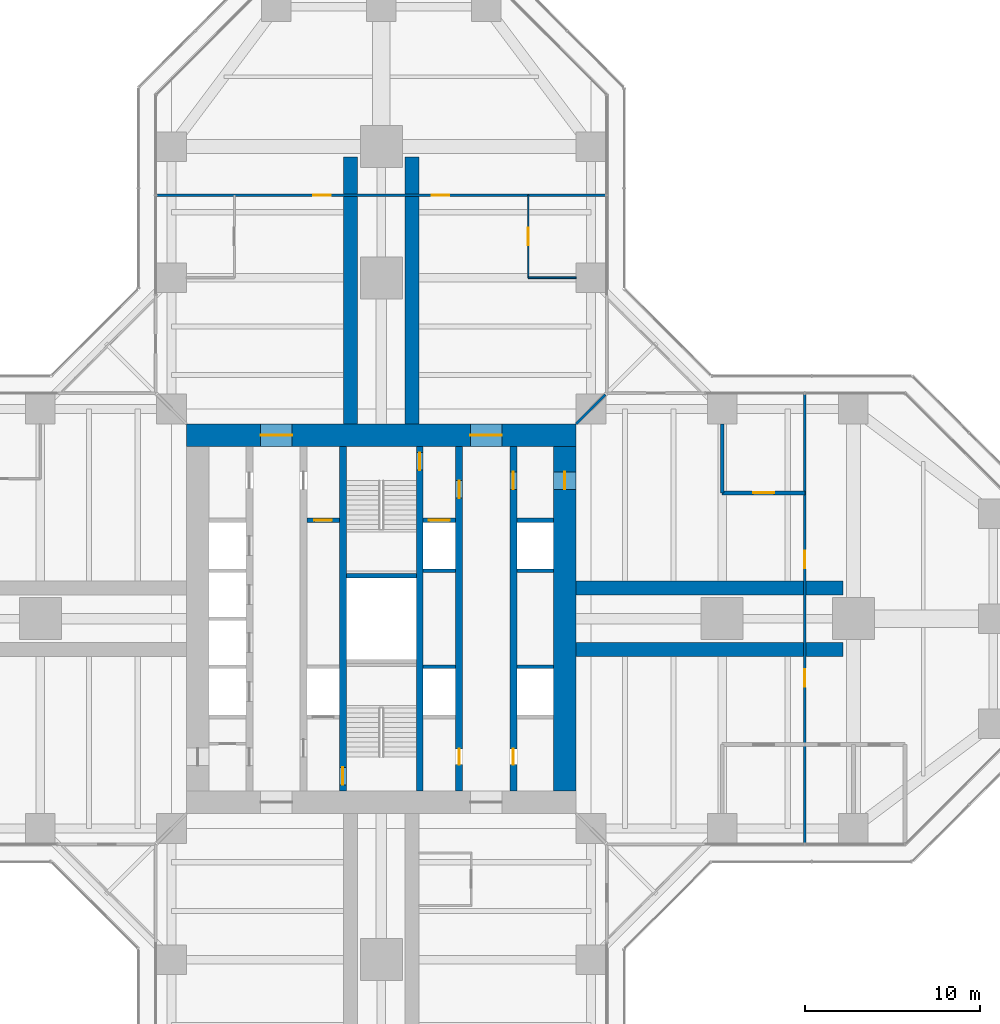
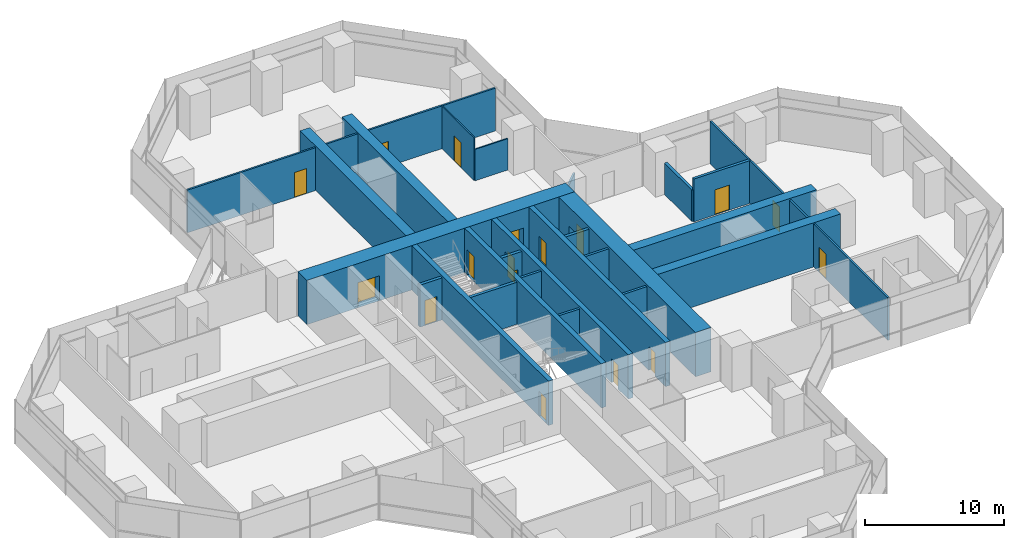
# One storey, part 19 of 22: 25 walls, 17 doors, 17 openings.
"""IFC4 building model written with IfcOpenShell, lengths in metres."""

from ifc_helpers import new_model, si_unit, direction, frame, frame_2d, origin, place, context, subcontext, project, spatial, rectangle, extrude, material, layer, layer_set, type_object, element, fill, save


model = new_model("IFC4")

# Units and contexts
model_context = context("Model", 3, precision=1e-05, world=origin(), true_north=direction((0.0, 1.0)))
body_context = subcontext(model_context, "Body", "Model", "MODEL_VIEW")
ifc_project = project(units=[si_unit("LENGTHUNIT", "METRE"), si_unit("AREAUNIT", "SQUARE_METRE"), si_unit("VOLUMEUNIT", "CUBIC_METRE"), si_unit("PLANEANGLEUNIT", "RADIAN"), si_unit("MASSUNIT", "GRAM", prefix="KILO")], contexts=[model_context])

# Site, building, storey
site_placement = place(None, origin())
site = spatial("IfcSite", under=ifc_project, at=site_placement, CompositionType="ELEMENT")
building_placement = place(site_placement, origin())
building = spatial("IfcBuilding", under=site, at=building_placement, Name="Mizan Broadcast Tower", CompositionType="ELEMENT")
storey_placement = place(building_placement, frame((0.0, 0.0, 78.60009765625)))
storey = spatial("IfcBuildingStorey", under=building, at=storey_placement, Name="L16", CompositionType="ELEMENT", Elevation=78.60009765625)

# Wall, openings, doors
ifc_material_1 = material(Name="Concrete C70/85", Category="concrete")
ifc_layer_1 = layer(ifc_material_1, 0.39990234375)
ifc_layer_set_1 = layer_set([ifc_layer_1], Name="Concrete C70/85")
wall_type_1 = type_object("IfcWallType", Name="CORE INTERNAL WALL 400", PredefinedType="SHEAR", material=ifc_layer_set_1)
wall_1_placement = place(storey_placement, frame((7.550048828125, 9.85009765625, 0.0), z_axis=(0.0, 0.0, 1.0), x_axis=(0.0, -1.0, 0.0)))
wall_1 = element("IfcWall", 1, at=wall_1_placement, inside=storey, type_object=wall_type_1, Name="Core wall CORE/XW1E", PredefinedType="SHEAR", context=body_context, shape_type="SweptSolid", body=[
    extrude(rectangle(XDim=19.7001953125, YDim=0.39990234375, at=frame_2d((9.85009765625, 0.0))), origin(), (0.0, 0.0, 1.0), 3.89990234375),
])
opening_1_placement = place(wall_1_placement, frame((1.449951171875, 0.0, 0.0)))
opening_1 = element("IfcOpeningElement", 2, at=opening_1_placement, cuts=wall_1, Name="Opening D10F", PredefinedType="OPENING", context=body_context, shape_type="SweptSolid", body=[
    extrude(rectangle(XDim=1.0, YDim=2.199951171875, at=frame_2d((0.5, 1.10009765625))), frame((0.0, 0.2099609375, 0.0), z_axis=(0.0, -1.0, 0.0), x_axis=(1.0, 0.0, 0.0)), (0.0, 0.0, 1.0), 0.419921875),
])
opening_2_placement = place(wall_1_placement, frame((17.300048828125, 0.0, 0.0)))
opening_2 = element("IfcOpeningElement", 3, at=opening_2_placement, cuts=wall_1, Name="Opening D09", PredefinedType="OPENING", context=body_context, shape_type="SweptSolid", body=[
    extrude(rectangle(XDim=0.89990234375, YDim=2.10009765625, at=frame_2d((0.449951171875, 1.050048828125))), frame((0.0, 0.2099609375, 0.0), z_axis=(0.0, -1.0, 0.0), x_axis=(1.0, 0.0, 0.0)), (0.0, 0.0, 1.0), 0.419921875),
])
ifc_material_2 = material(Name="Steel door leaf in steel frame", Category="steel")
door_type_1 = type_object("IfcDoorType", Name="FIRE DOOR 1000 FD90", OperationType="SINGLE_SWING_LEFT", PredefinedType="DOOR", material=ifc_material_2)
door_1_placement = place(opening_1_placement, origin())
door_1 = element("IfcDoor", 4, at=door_1_placement, inside=storey, type_object=door_type_1, Name="East core passage door", OperationType="SINGLE_SWING_LEFT", OverallHeight=2.199951171875, OverallWidth=1.0, PredefinedType="DOOR", context=body_context, shape_type="SweptSolid", body=[
    extrude(rectangle(XDim=1.0, YDim=2.199951171875, at=frame_2d((0.5, 1.10009765625))), frame((0.0, 0.02490234375, 0.0), z_axis=(0.0, -1.0, 0.0), x_axis=(1.0, 0.0, 0.0)), (0.0, 0.0, 1.0), 0.050048828125),
])
fill(opening_1, door_1)
ifc_material_3 = material(Name="Timber door leaf in aluminium frame", Category="wood")
door_type_2 = type_object("IfcDoorType", Name="TOILET DOOR 900", OperationType="SINGLE_SWING_LEFT", PredefinedType="DOOR", material=ifc_material_3)
door_2_placement = place(opening_2_placement, origin())
door_2 = element("IfcDoor", 5, at=door_2_placement, inside=storey, type_object=door_type_2, Name="Female WC door", OperationType="SINGLE_SWING_RIGHT", OverallHeight=2.10009765625, OverallWidth=0.89990234375, PredefinedType="DOOR", context=body_context, shape_type="SweptSolid", body=[
    extrude(rectangle(XDim=0.89990234375, YDim=2.10009765625, at=frame_2d((0.449951171875, 1.050048828125))), frame((0.0, 0.02490234375, 0.0), z_axis=(0.0, -1.0, 0.0), x_axis=(1.0, 0.0, 0.0)), (0.0, 0.0, 1.0), 0.050048828125),
])
fill(opening_2, door_2)

wall_2_placement = place(storey_placement, frame((4.449951171875, 9.85009765625, 0.0), z_axis=(0.0, 0.0, 1.0), x_axis=(0.0, -1.0, 0.0)))
wall_2 = element("IfcWall", 6, at=wall_2_placement, inside=storey, type_object=wall_type_1, Name="Core wall CORE/XWHE", PredefinedType="SHEAR", context=body_context, shape_type="SweptSolid", body=[
    extrude(rectangle(XDim=19.7001953125, YDim=0.39990234375, at=frame_2d((9.85009765625, 0.0))), origin(), (0.0, 0.0, 1.0), 3.89990234375),
])
opening_3_placement = place(wall_2_placement, frame((1.949951171875, 0.0, 0.0)))
opening_3 = element("IfcOpeningElement", 7, at=opening_3_placement, cuts=wall_2, Name="Opening D10F", PredefinedType="OPENING", context=body_context, shape_type="SweptSolid", body=[
    extrude(rectangle(XDim=1.0, YDim=2.199951171875, at=frame_2d((0.5, 1.10009765625))), frame((0.0, 0.2099609375, 0.0), z_axis=(0.0, -1.0, 0.0), x_axis=(1.0, 0.0, 0.0)), (0.0, 0.0, 1.0), 0.419921875),
])
opening_4_placement = place(wall_2_placement, frame((17.300048828125, 0.0, 0.0)))
opening_4 = element("IfcOpeningElement", 8, at=opening_4_placement, cuts=wall_2, Name="Opening D09", PredefinedType="OPENING", context=body_context, shape_type="SweptSolid", body=[
    extrude(rectangle(XDim=0.89990234375, YDim=2.10009765625, at=frame_2d((0.449951171875, 1.050048828125))), frame((0.0, 0.2099609375, 0.0), z_axis=(0.0, -1.0, 0.0), x_axis=(1.0, 0.0, 0.0)), (0.0, 0.0, 1.0), 0.419921875),
])
door_3_placement = place(opening_3_placement, origin())
door_3 = element("IfcDoor", 9, at=door_3_placement, inside=storey, type_object=door_type_1, Name="Firefighting lobby B door", OperationType="SINGLE_SWING_LEFT", OverallHeight=2.199951171875, OverallWidth=1.0, PredefinedType="DOOR", context=body_context, shape_type="SweptSolid", body=[
    extrude(rectangle(XDim=1.0, YDim=2.199951171875, at=frame_2d((0.5, 1.10009765625))), frame((0.0, 0.02490234375, 0.0), z_axis=(0.0, -1.0, 0.0), x_axis=(1.0, 0.0, 0.0)), (0.0, 0.0, 1.0), 0.050048828125),
])
fill(opening_3, door_3)
door_4_placement = place(opening_4_placement, origin())
door_4 = element("IfcDoor", 10, at=door_4_placement, inside=storey, type_object=door_type_2, Name="Cleaner's store door", OperationType="SINGLE_SWING_RIGHT", OverallHeight=2.10009765625, OverallWidth=0.89990234375, PredefinedType="DOOR", context=body_context, shape_type="SweptSolid", body=[
    extrude(rectangle(XDim=0.89990234375, YDim=2.10009765625, at=frame_2d((0.449951171875, 1.050048828125))), frame((0.0, 0.02490234375, 0.0), z_axis=(0.0, -1.0, 0.0), x_axis=(1.0, 0.0, 0.0)), (0.0, 0.0, 1.0), 0.050048828125),
])
fill(opening_4, door_4)

# Wall, opening, door
wall_3_placement = place(storey_placement, frame((-2.199951171875, -9.85009765625, 0.0), z_axis=(0.0, 0.0, 1.0), x_axis=(0.0, 1.0, 0.0)))
wall_3 = element("IfcWall", 11, at=wall_3_placement, inside=storey, type_object=wall_type_1, Name="Core wall CORE/XW2", PredefinedType="SHEAR", context=body_context, shape_type="SweptSolid", body=[
    extrude(rectangle(XDim=19.7001953125, YDim=0.39990234375, at=frame_2d((9.85009765625, 0.0))), origin(), (0.0, 0.0, 1.0), 3.89990234375),
])
opening_5_placement = place(wall_3_placement, frame((0.35009765625, 0.0, 0.0)))
opening_5 = element("IfcOpeningElement", 12, at=opening_5_placement, cuts=wall_3, Name="Opening D10S", PredefinedType="OPENING", context=body_context, shape_type="SweptSolid", body=[
    extrude(rectangle(XDim=1.0, YDim=2.199951171875, at=frame_2d((0.5, 1.10009765625))), frame((0.0, 0.2099609375, 0.0), z_axis=(0.0, -1.0, 0.0), x_axis=(1.0, 0.0, 0.0)), (0.0, 0.0, 1.0), 0.419921875),
])
ifc_material_4 = material(Name="Steel door leaf in steel frame", Category="steel")
door_type_3 = type_object("IfcDoorType", Name="STAIR DOOR 1000 FD90S", OperationType="SINGLE_SWING_RIGHT", PredefinedType="DOOR", material=ifc_material_4)
door_5_placement = place(opening_5_placement, origin())
door_5 = element("IfcDoor", 13, at=door_5_placement, inside=storey, type_object=door_type_3, Name="Stair A door", OperationType="SINGLE_SWING_RIGHT", OverallHeight=2.199951171875, OverallWidth=1.0, PredefinedType="DOOR", context=body_context, shape_type="SweptSolid", body=[
    extrude(rectangle(XDim=1.0, YDim=2.199951171875, at=frame_2d((0.5, 1.10009765625))), frame((0.0, 0.02490234375, 0.0), z_axis=(0.0, -1.0, 0.0), x_axis=(1.0, 0.0, 0.0)), (0.0, 0.0, 1.0), 0.050048828125),
])
fill(opening_5, door_5)

wall_4_placement = place(storey_placement, frame((2.199951171875, 9.85009765625, 0.0), z_axis=(0.0, 0.0, 1.0), x_axis=(0.0, -1.0, 0.0)))
wall_4 = element("IfcWall", 14, at=wall_4_placement, inside=storey, type_object=wall_type_1, Name="Core wall CORE/XW2E", PredefinedType="SHEAR", context=body_context, shape_type="SweptSolid", body=[
    extrude(rectangle(XDim=19.7001953125, YDim=0.39990234375, at=frame_2d((9.85009765625, 0.0))), origin(), (0.0, 0.0, 1.0), 3.89990234375),
])
opening_6_placement = place(wall_4_placement, frame((0.35009765625, 0.0, 0.0)))
opening_6 = element("IfcOpeningElement", 15, at=opening_6_placement, cuts=wall_4, Name="Opening D10S", PredefinedType="OPENING", context=body_context, shape_type="SweptSolid", body=[
    extrude(rectangle(XDim=1.0, YDim=2.199951171875, at=frame_2d((0.5, 1.10009765625))), frame((0.0, 0.2099609375, 0.0), z_axis=(0.0, -1.0, 0.0), x_axis=(1.0, 0.0, 0.0)), (0.0, 0.0, 1.0), 0.419921875),
])
door_6_placement = place(opening_6_placement, origin())
door_6 = element("IfcDoor", 16, at=door_6_placement, inside=storey, type_object=door_type_3, Name="Stair B door", OperationType="SINGLE_SWING_RIGHT", OverallHeight=2.199951171875, OverallWidth=1.0, PredefinedType="DOOR", context=body_context, shape_type="SweptSolid", body=[
    extrude(rectangle(XDim=1.0, YDim=2.199951171875, at=frame_2d((0.5, 1.10009765625))), frame((0.0, 0.02490234375, 0.0), z_axis=(0.0, -1.0, 0.0), x_axis=(1.0, 0.0, 0.0)), (0.0, 0.0, 1.0), 0.050048828125),
])
fill(opening_6, door_6)

# Wall, openings, doors
ifc_material_5 = material(Name="Concrete C70/85", Category="concrete")
ifc_layer_2 = layer(ifc_material_5, 1.300048828125)
ifc_layer_set_2 = layer_set([ifc_layer_2], Name="Concrete C70/85")
wall_type_2 = type_object("IfcWallType", Name="CORE WALL 1300", PredefinedType="SHEAR", material=ifc_layer_set_2)
wall_5_placement = place(storey_placement, frame((-11.14990234375, 10.5, 0.0), z_axis=(0.0, 0.0, 1.0), x_axis=(1.0, 0.0, 0.0)))
wall_5 = element("IfcWall", 17, at=wall_5_placement, inside=storey, type_object=wall_type_2, Name="Core wall N L16", PredefinedType="SHEAR", context=body_context, shape_type="SweptSolid", body=[
    extrude(rectangle(XDim=22.2998046875, YDim=1.300048828125, at=frame_2d((11.14990234375, 0.0))), origin(), (0.0, 0.0, 1.0), 3.89990234375),
])
opening_7_placement = place(wall_5_placement, frame((4.25, 0.0, 0.0)))
opening_7 = element("IfcOpeningElement", 18, at=opening_7_placement, cuts=wall_5, Name="Opening D18F", PredefinedType="OPENING", context=body_context, shape_type="SweptSolid", body=[
    extrude(rectangle(XDim=1.800048828125, YDim=2.199951171875, at=frame_2d((0.89990234375, 1.10009765625))), frame((0.0, 0.659912109375, 0.0), z_axis=(0.0, -1.0, 0.0), x_axis=(1.0, 0.0, 0.0)), (0.0, 0.0, 1.0), 1.320068359375),
])
opening_8_placement = place(wall_5_placement, frame((16.25, 0.0, 0.0)))
opening_8 = element("IfcOpeningElement", 19, at=opening_8_placement, cuts=wall_5, Name="Opening D18F", PredefinedType="OPENING", context=body_context, shape_type="SweptSolid", body=[
    extrude(rectangle(XDim=1.800048828125, YDim=2.199951171875, at=frame_2d((0.89990234375, 1.10009765625))), frame((0.0, 0.659912109375, 0.0), z_axis=(0.0, -1.0, 0.0), x_axis=(1.0, 0.0, 0.0)), (0.0, 0.0, 1.0), 1.320068359375),
])
ifc_material_6 = material(Name="Steel door leaf in steel frame", Category="steel")
door_type_4 = type_object("IfcDoorType", Name="LOBBY DOUBLE DOOR 1800 FD90", OperationType="DOUBLE_DOOR_DOUBLE_SWING", PredefinedType="DOOR", material=ifc_material_6)
door_7_placement = place(opening_7_placement, origin())
door_7 = element("IfcDoor", 20, at=door_7_placement, inside=storey, type_object=door_type_4, Name="West lift lobby north door", OperationType="DOUBLE_DOOR_DOUBLE_SWING", OverallHeight=2.199951171875, OverallWidth=1.800048828125, PredefinedType="DOOR", context=body_context, shape_type="SweptSolid", body=[
    extrude(rectangle(XDim=1.800048828125, YDim=2.199951171875, at=frame_2d((0.89990234375, 1.10009765625))), frame((0.0, 0.02490234375, 0.0), z_axis=(0.0, -1.0, 0.0), x_axis=(1.0, 0.0, 0.0)), (0.0, 0.0, 1.0), 0.050048828125),
])
fill(opening_7, door_7)
door_8_placement = place(opening_8_placement, origin())
door_8 = element("IfcDoor", 21, at=door_8_placement, inside=storey, type_object=door_type_4, Name="East lift lobby north door", OperationType="DOUBLE_DOOR_DOUBLE_SWING", OverallHeight=2.199951171875, OverallWidth=1.800048828125, PredefinedType="DOOR", context=body_context, shape_type="SweptSolid", body=[
    extrude(rectangle(XDim=1.800048828125, YDim=2.199951171875, at=frame_2d((0.89990234375, 1.10009765625))), frame((0.0, 0.02490234375, 0.0), z_axis=(0.0, -1.0, 0.0), x_axis=(1.0, 0.0, 0.0)), (0.0, 0.0, 1.0), 0.050048828125),
])
fill(opening_8, door_8)

# Wall, opening, door
wall_6_placement = place(storey_placement, frame((10.5, -9.85009765625, 0.0), z_axis=(0.0, 0.0, 1.0), x_axis=(0.0, 1.0, 0.0)))
wall_6 = element("IfcWall", 22, at=wall_6_placement, inside=storey, type_object=wall_type_2, Name="Core wall E L16", PredefinedType="SHEAR", context=body_context, shape_type="SweptSolid", body=[
    extrude(rectangle(XDim=19.7001953125, YDim=1.300048828125, at=frame_2d((9.85009765625, 0.0))), origin(), (0.0, 0.0, 1.0), 3.89990234375),
])
opening_9_placement = place(wall_6_placement, frame((17.25, 0.0, 0.0)))
opening_9 = element("IfcOpeningElement", 23, at=opening_9_placement, cuts=wall_6, Name="Opening D10F", PredefinedType="OPENING", context=body_context, shape_type="SweptSolid", body=[
    extrude(rectangle(XDim=1.0, YDim=2.199951171875, at=frame_2d((0.5, 1.10009765625))), frame((0.0, 0.659912109375, 0.0), z_axis=(0.0, -1.0, 0.0), x_axis=(1.0, 0.0, 0.0)), (0.0, 0.0, 1.0), 1.320068359375),
])
door_9_placement = place(opening_9_placement, origin())
door_9 = element("IfcDoor", 24, at=door_9_placement, inside=storey, type_object=door_type_1, Name="East core passage arm door", OperationType="SINGLE_SWING_RIGHT", OverallHeight=2.199951171875, OverallWidth=1.0, PredefinedType="DOOR", context=body_context, shape_type="SweptSolid", body=[
    extrude(rectangle(XDim=1.0, YDim=2.199951171875, at=frame_2d((0.5, 1.10009765625))), frame((0.0, 0.02490234375, 0.0), z_axis=(0.0, -1.0, 0.0), x_axis=(1.0, 0.0, 0.0)), (0.0, 0.0, 1.0), 0.050048828125),
])
fill(opening_9, door_9)

# Walls
ifc_material_7 = material(Name="Concrete blockwork", Category="masonry")
ifc_layer_3 = layer(ifc_material_7, 0.199951171875)
ifc_layer_set_3 = layer_set([ifc_layer_3], Name="Concrete blockwork")
wall_type_3 = type_object("IfcWallType", Name="LIFT SHAFT WALL 200", PredefinedType="SOLIDWALL", material=ifc_layer_set_3)
wall_7_placement = place(storey_placement, frame((2.39990234375, -2.75, 0.0), z_axis=(0.0, 0.0, 1.0), x_axis=(1.0, 0.0, 0.0)))
element("IfcWall", 25, at=wall_7_placement, inside=storey, type_object=wall_type_3, Name="Lift shaft wall CORE/SE2-1", PredefinedType="SOLIDWALL", context=body_context, shape_type="SweptSolid", body=[
    extrude(rectangle(XDim=1.85009765625, YDim=0.199951171875, at=frame_2d((0.925048828125, 0.0))), origin(), (0.0, 0.0, 1.0), 3.699951171875),
])
wall_8_placement = place(storey_placement, frame((7.75, -2.75, 0.0), z_axis=(0.0, 0.0, 1.0), x_axis=(1.0, 0.0, 0.0)))
element("IfcWall", 26, at=wall_8_placement, inside=storey, type_object=wall_type_3, Name="Lift shaft wall CORE/SE1-1", PredefinedType="SOLIDWALL", context=body_context, shape_type="SweptSolid", body=[
    extrude(rectangle(XDim=2.10009765625, YDim=0.199951171875, at=frame_2d((1.050048828125, 0.0))), origin(), (0.0, 0.0, 1.0), 3.699951171875),
])
wall_9_placement = place(storey_placement, frame((2.39990234375, 2.75, 0.0), z_axis=(0.0, 0.0, 1.0), x_axis=(1.0, 0.0, 0.0)))
element("IfcWall", 27, at=wall_9_placement, inside=storey, type_object=wall_type_3, Name="Lift shaft wall CORE/SE2-3", PredefinedType="SOLIDWALL", context=body_context, shape_type="SweptSolid", body=[
    extrude(rectangle(XDim=1.85009765625, YDim=0.199951171875, at=frame_2d((0.925048828125, 0.0))), origin(), (0.0, 0.0, 1.0), 3.699951171875),
])
wall_10_placement = place(storey_placement, frame((7.75, 2.75, 0.0), z_axis=(0.0, 0.0, 1.0), x_axis=(1.0, 0.0, 0.0)))
element("IfcWall", 28, at=wall_10_placement, inside=storey, type_object=wall_type_3, Name="Lift shaft wall CORE/SE1-3", PredefinedType="SOLIDWALL", context=body_context, shape_type="SweptSolid", body=[
    extrude(rectangle(XDim=2.10009765625, YDim=0.199951171875, at=frame_2d((1.050048828125, 0.0))), origin(), (0.0, 0.0, 1.0), 3.699951171875),
])

# Wall, opening, door
ifc_material_8 = material(Name="Concrete blockwork", Category="masonry")
ifc_layer_4 = layer(ifc_material_8, 0.25)
ifc_layer_set_4 = layer_set([ifc_layer_4], Name="Concrete blockwork")
wall_type_4 = type_object("IfcWallType", Name="LOBBY ENCLOSURE WALL 250", PredefinedType="SOLIDWALL", material=ifc_layer_set_4)
wall_11_placement = place(storey_placement, frame((-4.25, 5.625, 0.0), z_axis=(0.0, 0.0, 1.0), x_axis=(1.0, 0.0, 0.0)))
wall_11 = element("IfcWall", 29, at=wall_11_placement, inside=storey, type_object=wall_type_4, Name="Lobby enclosure wall CORE/BW2N", PredefinedType="SOLIDWALL", context=body_context, shape_type="SweptSolid", body=[
    extrude(rectangle(XDim=1.85009765625, YDim=0.25, at=frame_2d((0.925048828125, 0.0))), origin(), (0.0, 0.0, 1.0), 3.699951171875),
])
opening_10_placement = place(wall_11_placement, frame((0.425048828125, 0.0, 0.0)))
opening_10 = element("IfcOpeningElement", 30, at=opening_10_placement, cuts=wall_11, Name="Opening D10F", PredefinedType="OPENING", context=body_context, shape_type="SweptSolid", body=[
    extrude(rectangle(XDim=1.0, YDim=2.199951171875, at=frame_2d((0.5, 1.10009765625))), frame((0.0, 0.135009765625, 0.0), z_axis=(0.0, -1.0, 0.0), x_axis=(1.0, 0.0, 0.0)), (0.0, 0.0, 1.0), 0.27001953125),
])
door_10_placement = place(opening_10_placement, origin())
door_10 = element("IfcDoor", 31, at=door_10_placement, inside=storey, type_object=door_type_1, Name="Accessible changing room door", OperationType="SINGLE_SWING_RIGHT", OverallHeight=2.199951171875, OverallWidth=1.0, PredefinedType="DOOR", context=body_context, shape_type="SweptSolid", body=[
    extrude(rectangle(XDim=1.0, YDim=2.199951171875, at=frame_2d((0.5, 1.10009765625))), frame((0.0, 0.02490234375, 0.0), z_axis=(0.0, -1.0, 0.0), x_axis=(1.0, 0.0, 0.0)), (0.0, 0.0, 1.0), 0.050048828125),
])
fill(opening_10, door_10)

wall_12_placement = place(storey_placement, frame((2.39990234375, 5.625, 0.0), z_axis=(0.0, 0.0, 1.0), x_axis=(1.0, 0.0, 0.0)))
wall_12 = element("IfcWall", 32, at=wall_12_placement, inside=storey, type_object=wall_type_4, Name="Lobby enclosure wall CORE/BE2N", PredefinedType="SOLIDWALL", context=body_context, shape_type="SweptSolid", body=[
    extrude(rectangle(XDim=1.85009765625, YDim=0.25, at=frame_2d((0.925048828125, 0.0))), origin(), (0.0, 0.0, 1.0), 3.699951171875),
])
opening_11_placement = place(wall_12_placement, frame((0.324951171875, 0.0, 0.0)))
opening_11 = element("IfcOpeningElement", 33, at=opening_11_placement, cuts=wall_12, Name="Opening LDF", PredefinedType="OPENING", context=body_context, shape_type="SweptSolid", body=[
    extrude(rectangle(XDim=1.199951171875, YDim=2.199951171875, at=frame_2d((0.60009765625, 1.10009765625))), frame((0.0, 0.135009765625, 0.0), z_axis=(0.0, -1.0, 0.0), x_axis=(1.0, 0.0, 0.0)), (0.0, 0.0, 1.0), 0.27001953125),
])
ifc_material_9 = material(Name="Steel door leaf in steel frame", Category="steel")
door_type_5 = type_object("IfcDoorType", Name="FIREFIGHTING LIFT LANDING DOOR 1200", OperationType="SLIDING_TO_LEFT", PredefinedType="DOOR", material=ifc_material_9)
door_11_placement = place(opening_11_placement, origin())
door_11 = element("IfcDoor", 34, at=door_11_placement, inside=storey, type_object=door_type_5, Name="Landing door FF2", OperationType="SLIDING_TO_LEFT", OverallHeight=2.199951171875, OverallWidth=1.199951171875, PredefinedType="DOOR", context=body_context, shape_type="SweptSolid", body=[
    extrude(rectangle(XDim=1.199951171875, YDim=2.199951171875, at=frame_2d((0.60009765625, 1.10009765625))), frame((0.0, 0.02490234375, 0.0), z_axis=(0.0, -1.0, 0.0), x_axis=(1.0, 0.0, 0.0)), (0.0, 0.0, 1.0), 0.050048828125),
])
fill(opening_11, door_11)

# Walls
wall_13_placement = place(storey_placement, frame((7.75, 5.625, 0.0), z_axis=(0.0, 0.0, 1.0), x_axis=(1.0, 0.0, 0.0)))
element("IfcWall", 35, at=wall_13_placement, inside=storey, type_object=wall_type_4, Name="Lobby enclosure wall CORE/BE1N", PredefinedType="SOLIDWALL", context=body_context, shape_type="SweptSolid", body=[
    extrude(rectangle(XDim=2.10009765625, YDim=0.25, at=frame_2d((1.050048828125, 0.0))), origin(), (0.0, 0.0, 1.0), 3.699951171875),
])
wall_14_placement = place(storey_placement, frame((-2.0, 2.449951171875, 0.0), z_axis=(0.0, 0.0, 1.0), x_axis=(1.0, 0.0, 0.0)))
element("IfcWall", 36, at=wall_14_placement, inside=storey, type_object=wall_type_4, Name="Lobby enclosure wall CORE/STB", PredefinedType="SOLIDWALL", context=body_context, shape_type="SweptSolid", body=[
    extrude(rectangle(XDim=4.0, YDim=0.25, at=frame_2d((2.0, 0.0))), origin(), (0.0, 0.0, 1.0), 3.699951171875),
])

# Wall, openings, doors
ifc_material_10 = material(Name="Gypsum board on steel studs", Category="steel")
ifc_layer_5 = layer(ifc_material_10, 0.14990234375)
ifc_layer_set_5 = layer_set([ifc_layer_5], Name="Gypsum board on steel studs")
wall_type_5 = type_object("IfcWallType", Name="PARTITION 150", PredefinedType="PARTITIONING", material=ifc_layer_set_5)
wall_15_placement = place(storey_placement, frame((24.22900390625, -12.820068359375, 0.0), z_axis=(0.0, 0.0, 1.0), x_axis=(0.0, 1.0, 0.0)))
wall_15 = element("IfcWall", 37, at=wall_15_placement, inside=storey, type_object=wall_type_5, Name="Partition PT/EX1", PredefinedType="PARTITIONING", context=body_context, shape_type="SweptSolid", body=[
    extrude(rectangle(XDim=25.64013671875, YDim=0.14990234375, at=frame_2d((12.820068359375, 0.0))), origin(), (0.0, 0.0, 1.0), 3.77001953125),
])
opening_12_placement = place(wall_15_placement, frame((15.719970703125, 0.0, 0.0)))
opening_12 = element("IfcOpeningElement", 38, at=opening_12_placement, cuts=wall_15, Name="Opening D10", PredefinedType="OPENING", context=body_context, shape_type="SweptSolid", body=[
    extrude(rectangle(XDim=1.0, YDim=2.199951171875, at=frame_2d((0.5, 1.10009765625))), frame((0.0, 0.0849609375, 0.0), z_axis=(0.0, -1.0, 0.0), x_axis=(1.0, 0.0, 0.0)), (0.0, 0.0, 1.0), 0.169921875),
])
opening_13_placement = place(wall_15_placement, frame((8.919921875, 0.0, 0.0)))
opening_13 = element("IfcOpeningElement", 39, at=opening_13_placement, cuts=wall_15, Name="Opening D10", PredefinedType="OPENING", context=body_context, shape_type="SweptSolid", body=[
    extrude(rectangle(XDim=1.0, YDim=2.199951171875, at=frame_2d((0.5, 1.10009765625))), frame((0.0, 0.0849609375, 0.0), z_axis=(0.0, -1.0, 0.0), x_axis=(1.0, 0.0, 0.0)), (0.0, 0.0, 1.0), 0.169921875),
])
ifc_material_11 = material(Name="Timber door leaf in aluminium frame", Category="wood")
door_type_6 = type_object("IfcDoorType", Name="ROOM DOOR 1000", OperationType="SINGLE_SWING_LEFT", PredefinedType="DOOR", material=ifc_material_11)
door_12_placement = place(opening_12_placement, origin())
door_12 = element("IfcDoor", 40, at=door_12_placement, inside=storey, type_object=door_type_6, Name="Open office door", OperationType="SINGLE_SWING_RIGHT", OverallHeight=2.199951171875, OverallWidth=1.0, PredefinedType="DOOR", context=body_context, shape_type="SweptSolid", body=[
    extrude(rectangle(XDim=1.0, YDim=2.199951171875, at=frame_2d((0.5, 1.10009765625))), frame((0.0, 0.02490234375, 0.0), z_axis=(0.0, -1.0, 0.0), x_axis=(1.0, 0.0, 0.0)), (0.0, 0.0, 1.0), 0.050048828125),
])
fill(opening_12, door_12)
door_13_placement = place(opening_13_placement, origin())
door_13 = element("IfcDoor", 41, at=door_13_placement, inside=storey, type_object=door_type_6, Name="Open office door", OperationType="SINGLE_SWING_LEFT", OverallHeight=2.199951171875, OverallWidth=1.0, PredefinedType="DOOR", context=body_context, shape_type="SweptSolid", body=[
    extrude(rectangle(XDim=1.0, YDim=2.199951171875, at=frame_2d((0.5, 1.10009765625))), frame((0.0, 0.02490234375, 0.0), z_axis=(0.0, -1.0, 0.0), x_axis=(1.0, 0.0, 0.0)), (0.0, 0.0, 1.0), 0.050048828125),
])
fill(opening_13, door_13)

wall_16_placement = place(storey_placement, frame((12.820068359375, 24.22900390625, 0.0), z_axis=(0.0, 0.0, 1.0), x_axis=(-1.0, 0.0, 0.0)))
wall_16 = element("IfcWall", 42, at=wall_16_placement, inside=storey, type_object=wall_type_5, Name="Partition PT/NX1", PredefinedType="PARTITIONING", context=body_context, shape_type="SweptSolid", body=[
    extrude(rectangle(XDim=25.64013671875, YDim=0.14990234375, at=frame_2d((12.820068359375, 0.0))), origin(), (0.0, 0.0, 1.0), 3.77001953125),
])
opening_14_placement = place(wall_16_placement, frame((15.719970703125, 0.0, 0.0)))
opening_14 = element("IfcOpeningElement", 43, at=opening_14_placement, cuts=wall_16, Name="Opening D10", PredefinedType="OPENING", context=body_context, shape_type="SweptSolid", body=[
    extrude(rectangle(XDim=1.0, YDim=2.199951171875, at=frame_2d((0.5, 1.10009765625))), frame((0.0, 0.0849609375, 0.0), z_axis=(0.0, -1.0, 0.0), x_axis=(1.0, 0.0, 0.0)), (0.0, 0.0, 1.0), 0.169921875),
])
opening_15_placement = place(wall_16_placement, frame((8.919921875, 0.0, 0.0)))
opening_15 = element("IfcOpeningElement", 44, at=opening_15_placement, cuts=wall_16, Name="Opening D10", PredefinedType="OPENING", context=body_context, shape_type="SweptSolid", body=[
    extrude(rectangle(XDim=1.0, YDim=2.199951171875, at=frame_2d((0.5, 1.10009765625))), frame((0.0, 0.0849609375, 0.0), z_axis=(0.0, -1.0, 0.0), x_axis=(1.0, 0.0, 0.0)), (0.0, 0.0, 1.0), 0.169921875),
])
door_14_placement = place(opening_14_placement, origin())
door_14 = element("IfcDoor", 45, at=door_14_placement, inside=storey, type_object=door_type_6, Name="Script library door", OperationType="SINGLE_SWING_RIGHT", OverallHeight=2.199951171875, OverallWidth=1.0, PredefinedType="DOOR", context=body_context, shape_type="SweptSolid", body=[
    extrude(rectangle(XDim=1.0, YDim=2.199951171875, at=frame_2d((0.5, 1.10009765625))), frame((0.0, 0.02490234375, 0.0), z_axis=(0.0, -1.0, 0.0), x_axis=(1.0, 0.0, 0.0)), (0.0, 0.0, 1.0), 0.050048828125),
])
fill(opening_14, door_14)
door_15_placement = place(opening_15_placement, origin())
door_15 = element("IfcDoor", 46, at=door_15_placement, inside=storey, type_object=door_type_6, Name="Script library door", OperationType="SINGLE_SWING_LEFT", OverallHeight=2.199951171875, OverallWidth=1.0, PredefinedType="DOOR", context=body_context, shape_type="SweptSolid", body=[
    extrude(rectangle(XDim=1.0, YDim=2.199951171875, at=frame_2d((0.5, 1.10009765625))), frame((0.0, 0.02490234375, 0.0), z_axis=(0.0, -1.0, 0.0), x_axis=(1.0, 0.0, 0.0)), (0.0, 0.0, 1.0), 0.050048828125),
])
fill(opening_15, door_15)

# Wall
wall_17_placement = place(storey_placement, frame((11.14990234375, 11.14990234375, 0.0), z_axis=(0.0, 0.0, 1.0), x_axis=(0.707106781187, 0.707106781187, 0.0)))
element("IfcWall", 47, at=wall_17_placement, inside=storey, type_object=wall_type_5, Name="Partition PT/DGEN", PredefinedType="PARTITIONING", context=body_context, shape_type="SweptSolid", body=[
    extrude(rectangle(XDim=2.362060546875, YDim=0.14990234375, at=frame_2d((1.18115234375, 0.0))), origin(), (0.0, 0.0, 1.0), 3.219970703125),
])

# Wall, opening, door
ifc_material_12 = material(Name="Twin steel stud acoustic partition, four layers of gypsum board", Category="steel")
ifc_layer_6 = layer(ifc_material_12, 0.22509765625)
ifc_layer_set_6 = layer_set([ifc_layer_6], Name="Twin steel stud acoustic partition, four layers of gypsum board")
wall_type_6 = type_object("IfcWallType", Name="PARTITION ACOUSTIC 225", PredefinedType="PARTITIONING", material=ifc_layer_set_6)
wall_18_placement = place(storey_placement, frame((19.5, 7.199951171875, 0.0), z_axis=(0.0, 0.0, 1.0), x_axis=(1.0, 0.0, 0.0)))
wall_18 = element("IfcWall", 48, at=wall_18_placement, inside=storey, type_object=wall_type_6, Name="Acoustic partition PT/ECP0", PredefinedType="PARTITIONING", context=body_context, shape_type="SweptSolid", body=[
    extrude(rectangle(XDim=4.72900390625, YDim=0.22509765625, at=frame_2d((2.364501953125, 0.0))), origin(), (0.0, 0.0, 1.0), 3.77001953125),
])
opening_16_placement = place(wall_18_placement, frame((1.764404296875, 0.0, 0.0)))
opening_16 = element("IfcOpeningElement", 49, at=opening_16_placement, cuts=wall_18, Name="Opening D12A", PredefinedType="OPENING", context=body_context, shape_type="SweptSolid", body=[
    extrude(rectangle(XDim=1.199951171875, YDim=2.199951171875, at=frame_2d((0.60009765625, 1.10009765625))), frame((0.0, 0.12255859375, 0.0), z_axis=(0.0, -1.0, 0.0), x_axis=(1.0, 0.0, 0.0)), (0.0, 0.0, 1.0), 0.2451171875),
])
ifc_material_13 = material(Name="Timber door leaf in aluminium frame", Category="wood")
door_type_7 = type_object("IfcDoorType", Name="ACOUSTIC DOOR 1200", OperationType="SINGLE_SWING_LEFT", PredefinedType="DOOR", material=ifc_material_13)
door_16_placement = place(opening_16_placement, origin())
door_16 = element("IfcDoor", 50, at=door_16_placement, inside=storey, type_object=door_type_7, Name="Commissioning editor's office door", OperationType="SINGLE_SWING_LEFT", OverallHeight=2.199951171875, OverallWidth=1.199951171875, PredefinedType="DOOR", context=body_context, shape_type="SweptSolid", body=[
    extrude(rectangle(XDim=1.199951171875, YDim=2.199951171875, at=frame_2d((0.60009765625, 1.10009765625))), frame((0.0, 0.02490234375, 0.0), z_axis=(0.0, -1.0, 0.0), x_axis=(1.0, 0.0, 0.0)), (0.0, 0.0, 1.0), 0.050048828125),
])
fill(opening_16, door_16)

# Wall
wall_19_placement = place(storey_placement, frame((19.5, 7.199951171875, 0.0), z_axis=(0.0, 0.0, 1.0), x_axis=(0.0, 1.0, 0.0)))
element("IfcWall", 51, at=wall_19_placement, inside=storey, type_object=wall_type_6, Name="Acoustic partition PT/EQP1950", PredefinedType="PARTITIONING", context=body_context, shape_type="SweptSolid", body=[
    extrude(rectangle(XDim=3.949951171875, YDim=0.22509765625, at=frame_2d((1.97509765625, 0.0))), origin(), (0.0, 0.0, 1.0), 2.77001953125),
])

# Wall, opening, door
ifc_material_14 = material(Name="Glazed aluminium partition on aluminium track", Category="aluminium")
ifc_layer_7 = layer(ifc_material_14, 0.10009765625)
ifc_layer_set_7 = layer_set([ifc_layer_7], Name="Glazed aluminium partition on aluminium track")
wall_type_7 = type_object("IfcWallType", Name="PARTITION GLAZED OFFICE FRONT 100", PredefinedType="PARTITIONING", material=ifc_layer_set_7)
wall_20_placement = place(storey_placement, frame((8.39990234375, 19.5, 0.0), z_axis=(0.0, 0.0, 1.0), x_axis=(0.0, 1.0, 0.0)))
wall_20 = element("IfcWall", 52, at=wall_20_placement, inside=storey, type_object=wall_type_7, Name="Glazed office front PT/NCN0", PredefinedType="PARTITIONING", context=body_context, shape_type="SweptSolid", body=[
    extrude(rectangle(XDim=4.72900390625, YDim=0.10009765625, at=frame_2d((2.364501953125, 0.0))), origin(), (0.0, 0.0, 1.0), 3.77001953125),
])
opening_17_placement = place(wall_20_placement, frame((1.864501953125, 0.0, 0.0)))
opening_17 = element("IfcOpeningElement", 53, at=opening_17_placement, cuts=wall_20, Name="Opening D10O", PredefinedType="OPENING", context=body_context, shape_type="SweptSolid", body=[
    extrude(rectangle(XDim=1.0, YDim=2.199951171875, at=frame_2d((0.5, 1.10009765625))), frame((0.0, 0.06005859375, 0.0), z_axis=(0.0, -1.0, 0.0), x_axis=(1.0, 0.0, 0.0)), (0.0, 0.0, 1.0), 0.1201171875),
])
ifc_material_15 = material(Name="Timber door leaf in aluminium frame", Category="wood")
door_type_8 = type_object("IfcDoorType", Name="OFFICE DOOR 1000 GLAZED", OperationType="SINGLE_SWING_LEFT", PredefinedType="DOOR", material=ifc_material_15)
door_17_placement = place(opening_17_placement, origin())
door_17 = element("IfcDoor", 54, at=door_17_placement, inside=storey, type_object=door_type_8, Name="Office door", OperationType="SINGLE_SWING_LEFT", OverallHeight=2.199951171875, OverallWidth=1.0, PredefinedType="DOOR", context=body_context, shape_type="SweptSolid", body=[
    extrude(rectangle(XDim=1.0, YDim=2.199951171875, at=frame_2d((0.5, 1.10009765625))), frame((0.0, 0.02490234375, 0.0), z_axis=(0.0, -1.0, 0.0), x_axis=(1.0, 0.0, 0.0)), (0.0, 0.0, 1.0), 0.050048828125),
])
fill(opening_17, door_17)

# Walls
wall_21_placement = place(storey_placement, frame((8.39990234375, 19.5, 0.0), z_axis=(0.0, 0.0, 1.0), x_axis=(1.0, 0.0, 0.0)))
element("IfcWall", 55, at=wall_21_placement, inside=storey, type_object=wall_type_7, Name="Glazed office front PT/NQN1950", PredefinedType="PARTITIONING", context=body_context, shape_type="SweptSolid", body=[
    extrude(rectangle(XDim=2.75, YDim=0.10009765625, at=frame_2d((1.375, 0.0))), origin(), (0.0, 0.0, 1.0), 2.77001953125),
])
ifc_material_16 = material(Name="Concrete C70/85", Category="concrete")
ifc_layer_8 = layer(ifc_material_16, 0.800048828125)
ifc_layer_set_8 = layer_set([ifc_layer_8], Name="Concrete C70/85")
wall_type_8 = type_object("IfcWallType", Name="SPINE WALL 800", PredefinedType="SHEAR", material=ifc_layer_set_8)
for number, where, z_axis, x_axis, name in (
    (56, (11.14990234375, -1.75, 0.0), (0.0, 0.0, 1.0), (1.0, 0.0, 0.0), "Spine wall ER L16"),
    (57, (11.14990234375, 1.75, 0.0), (0.0, 0.0, 1.0), (1.0, 0.0, 0.0), "Spine wall EL L16"),
    (58, (1.75, 11.14990234375, 0.0), (0.0, 0.0, 1.0), (0.0, 1.0, 0.0), "Spine wall NR L16"),
    (59, (-1.75, 11.14990234375, 0.0), (0.0, 0.0, 1.0), (0.0, 1.0, 0.0), "Spine wall NL L16"),
):
    element("IfcWall", number, at=place(storey_placement, frame(where, z_axis=z_axis, x_axis=x_axis)), inside=storey, type_object=wall_type_8, Name=name, PredefinedType="SHEAR", context=body_context, shape_type="SweptSolid", body=[
        extrude(rectangle(XDim=15.25, YDim=0.800048828125, at=frame_2d((7.625, 0.0))), origin(), (0.0, 0.0, 1.0), 3.89990234375),
    ])

save(model, "model.ifc")
